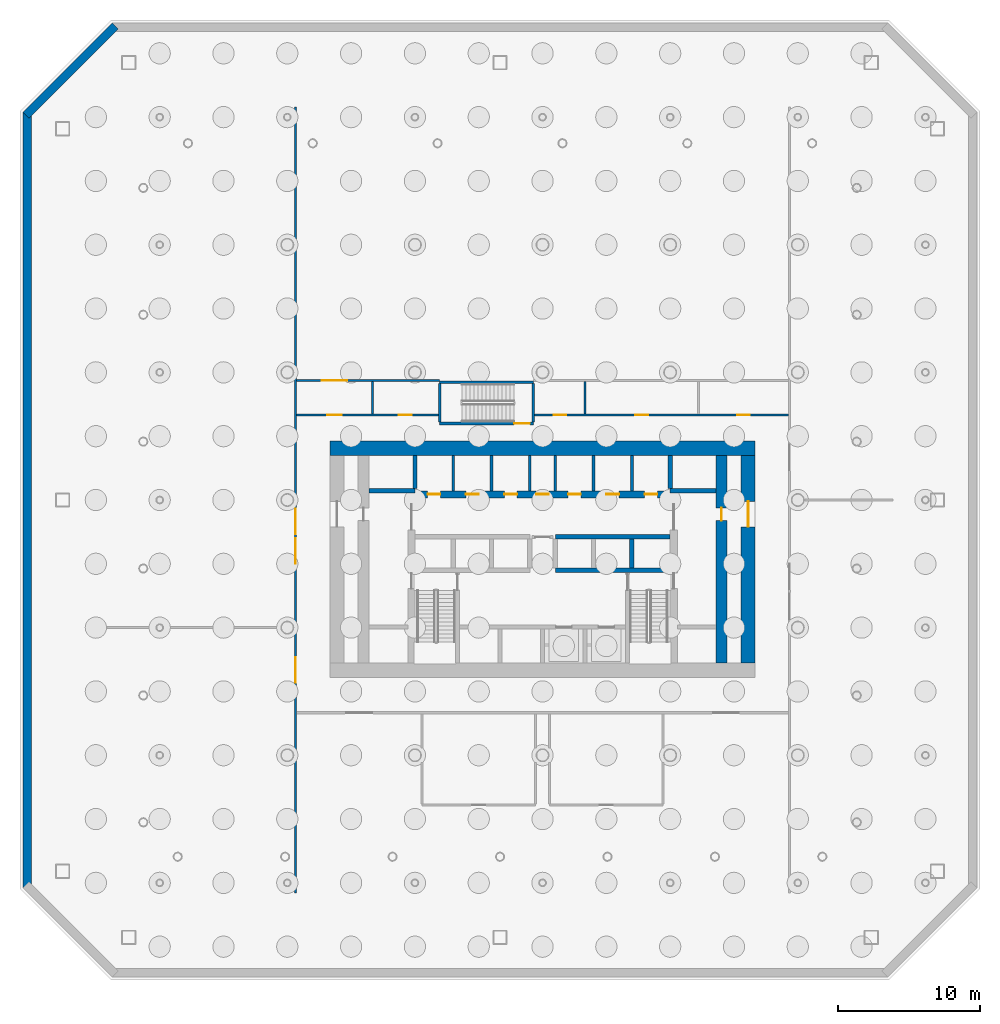
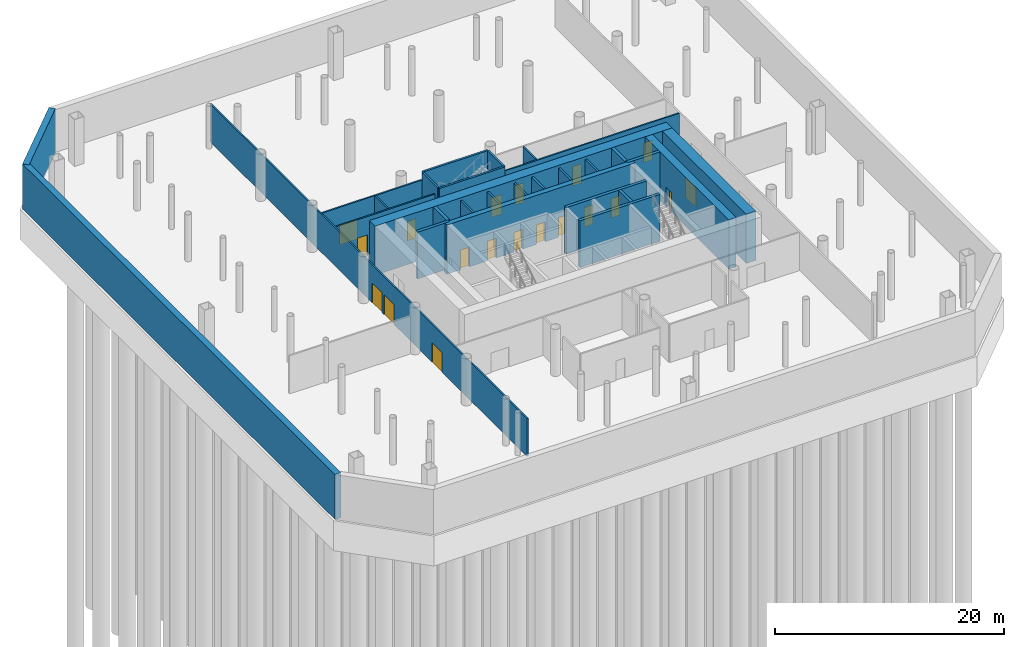
# One storey, part 6 of 10: 29 walls, 19 doors, 19 openings.
"""IFC4 building model written with IfcOpenShell, lengths in metres."""

from ifc_helpers import new_model, si_unit, direction, frame, frame_2d, origin, place, context, subcontext, project, spatial, rectangle, extrude, material, layer, layer_set, type_object, element, fill, save


model = new_model("IFC4")

# Units and contexts
model_context = context("Model", 3, precision=1e-05, world=origin(), true_north=direction((0.0, 1.0)))
body_context = subcontext(model_context, "Body", "Model", "MODEL_VIEW")
ifc_project = project(units=[si_unit("LENGTHUNIT", "METRE"), si_unit("AREAUNIT", "SQUARE_METRE"), si_unit("VOLUMEUNIT", "CUBIC_METRE"), si_unit("PLANEANGLEUNIT", "RADIAN"), si_unit("MASSUNIT", "GRAM", prefix="KILO")], contexts=[model_context])

# Site, building, storey
site_placement = place(None, origin())
site = spatial("IfcSite", under=ifc_project, at=site_placement, CompositionType="ELEMENT")
building_placement = place(site_placement, origin())
building = spatial("IfcBuilding", under=site, at=building_placement, Name="Tskaro Facet Tower", CompositionType="ELEMENT")
storey_placement = place(building_placement, frame((0.0, 0.0, -5.0)))
storey = spatial("IfcBuildingStorey", under=building, at=storey_placement, Name="B1", CompositionType="ELEMENT", Elevation=-5.0)

# Walls
ifc_material_1 = material(Name="Concrete C40/50", Category="concrete")
ifc_layer_1 = layer(ifc_material_1, 0.60009765625, Name="Concrete C40/50")
ifc_layer_set_1 = layer_set([ifc_layer_1], Name="Concrete C40/50")
wall_type_1 = type_object("IfcWallType", Name="Basement retaining wall", PredefinedType="SOLIDWALL", material=ifc_layer_set_1)
wall_1_placement = place(storey_placement, frame((-30.12890625, 33.43798828125, -0.25), z_axis=(0.0, 0.0, 1.0), x_axis=(-0.707106781187, -0.707106781187, 0.0)))
element("IfcWall", 1, at=wall_1_placement, inside=storey, type_object=wall_type_1, Name="Basement retaining wall BW6", PredefinedType="SOLIDWALL", context=body_context, shape_type="SweptSolid", body=[
    extrude(rectangle(XDim=8.92236328125, YDim=0.60009765625, at=frame_2d((4.461181640625, 0.0))), origin(), (0.0, 0.0, 1.0), 4.800048828125),
])
wall_2_placement = place(storey_placement, frame((-36.35009765625, 27.341064453125, -0.25), z_axis=(0.0, 0.0, 1.0), x_axis=(0.0, -1.0, 0.0)))
element("IfcWall", 2, at=wall_2_placement, inside=storey, type_object=wall_type_1, Name="Basement retaining wall BW7", PredefinedType="SOLIDWALL", context=body_context, shape_type="SweptSolid", body=[
    extrude(rectangle(XDim=54.68212890625, YDim=0.60009765625, at=frame_2d((27.341064453125, 0.0))), origin(), (0.0, 0.0, 1.0), 4.800048828125),
])
ifc_material_2 = material(Name="Concrete C60/75", Category="concrete")
ifc_layer_2 = layer(ifc_material_2, 0.300048828125, Name="Concrete C60/75")
ifc_layer_set_2 = layer_set([ifc_layer_2], Name="Concrete C60/75")
wall_type_2 = type_object("IfcWallType", Name="CORE-SHAFT", PredefinedType="SHEAR", material=ifc_layer_set_2)
for number, where, z_axis, x_axis, name in (
    (3, (0.89990234375, -4.949951171875, 0.0), (0.0, 0.0, 1.0), (1.0, 0.0, 0.0), "Shaft wall W009"),
    (4, (0.89990234375, -2.60009765625, 0.0), (0.0, 0.0, 1.0), (1.0, 0.0, 0.0), "Shaft wall W012"),
):
    element("IfcWall", number, at=place(storey_placement, frame(where, z_axis=z_axis, x_axis=x_axis)), inside=storey, type_object=wall_type_2, Name=name, PredefinedType="SHEAR", context=body_context, shape_type="SweptSolid", body=[
        extrude(rectangle(XDim=8.10009765625, YDim=0.300048828125, at=frame_2d((4.050048828125, 0.0))), origin(), (0.0, 0.0, 1.0), 5.0),
    ])
for number, where, z_axis, x_axis, name in (
    (5, (-9.0, 0.64990234375, 0.0), (0.0, 0.0, 1.0), (-1.0, 0.0, 0.0), "Shaft wall W014"),
    (6, (12.25, 0.64990234375, 0.0), (0.0, 0.0, 1.0), (-1.0, 0.0, 0.0), "Shaft wall W015"),
):
    element("IfcWall", number, at=place(storey_placement, frame(where, z_axis=z_axis, x_axis=x_axis)), inside=storey, type_object=wall_type_2, Name=name, PredefinedType="SHEAR", context=body_context, shape_type="SweptSolid", body=[
        extrude(rectangle(XDim=3.25, YDim=0.300048828125, at=frame_2d((1.625, 0.0))), origin(), (0.0, 0.0, 1.0), 5.0),
    ])
wall_3_placement = place(storey_placement, frame((-9.0, 0.800048828125, 0.0), z_axis=(0.0, 0.0, 1.0), x_axis=(0.0, 1.0, 0.0)))
element("IfcWall", 7, at=wall_3_placement, inside=storey, type_object=wall_type_2, Name="Shaft wall W024", PredefinedType="SHEAR", context=body_context, shape_type="SweptSolid", body=[
    extrude(rectangle(XDim=2.349853515625, YDim=0.300048828125, at=frame_2d((1.1748046875, 0.0))), origin(), (0.0, 0.0, 1.0), 5.0),
])
wall_4_placement = place(storey_placement, frame((6.300048828125, -4.800048828125, 0.0), z_axis=(0.0, 0.0, 1.0), x_axis=(0.0, 1.0, 0.0)))
element("IfcWall", 8, at=wall_4_placement, inside=storey, type_object=wall_type_2, Name="Shaft wall W049", PredefinedType="SHEAR", context=body_context, shape_type="SweptSolid", body=[
    extrude(rectangle(XDim=2.050048828125, YDim=0.300048828125, at=frame_2d((1.02490234375, 0.0))), origin(), (0.0, 0.0, 1.0), 5.0),
])
wall_5_placement = place(storey_placement, frame((9.0, 0.800048828125, 0.0), z_axis=(0.0, 0.0, 1.0), x_axis=(0.0, 1.0, 0.0)))
element("IfcWall", 9, at=wall_5_placement, inside=storey, type_object=wall_type_2, Name="Shaft wall W053", PredefinedType="SHEAR", context=body_context, shape_type="SweptSolid", body=[
    extrude(rectangle(XDim=2.349853515625, YDim=0.300048828125, at=frame_2d((1.1748046875, 0.0))), origin(), (0.0, 0.0, 1.0), 5.0),
])
ifc_material_3 = material(Name="Concrete C20/25", Category="concrete")
ifc_layer_3 = layer(ifc_material_3, 0.199951171875, Name="Concrete C20/25")
ifc_layer_set_3 = layer_set([ifc_layer_3], Name="Concrete C20/25")
wall_type_3 = type_object("IfcWallType", Name="CORE-WALL", PredefinedType="SOLIDWALL", material=ifc_layer_set_3)
for number, where, z_axis, x_axis, name in (
    (10, (-6.300048828125, 0.64990234375, 0.0), (0.0, 0.0, 1.0), (0.0, 1.0, 0.0), "Core room wall W029"),
    (11, (-3.60009765625, 0.64990234375, 0.0), (0.0, 0.0, 1.0), (0.0, 1.0, 0.0), "Core room wall W032"),
    (12, (-0.89990234375, 0.64990234375, 0.0), (0.0, 0.0, 1.0), (0.0, 1.0, 0.0), "Core room wall W035"),
    (13, (0.89990234375, 0.64990234375, 0.0), (0.0, 0.0, 1.0), (0.0, 1.0, 0.0), "Core room wall W043"),
    (14, (3.60009765625, 0.64990234375, 0.0), (0.0, 0.0, 1.0), (0.0, 1.0, 0.0), "Core room wall W047"),
    (15, (6.300048828125, 0.64990234375, 0.0), (0.0, 0.0, 1.0), (0.0, 1.0, 0.0), "Core room wall W050"),
):
    element("IfcWall", number, at=place(storey_placement, frame(where, z_axis=z_axis, x_axis=x_axis)), inside=storey, type_object=wall_type_3, Name=name, PredefinedType="SOLIDWALL", context=body_context, shape_type="SweptSolid", body=[
        extrude(rectangle(XDim=2.5, YDim=0.199951171875, at=frame_2d((1.25, 0.0))), origin(), (0.0, 0.0, 1.0), 4.699951171875),
    ])
ifc_layer_4 = layer(ifc_material_2, 1.0, Name="Concrete C60/75")
ifc_layer_set_4 = layer_set([ifc_layer_4], Name="Concrete C60/75")
wall_type_4 = type_object("IfcWallType", Name="Core wall 1000", PredefinedType="SHEAR", material=ifc_layer_set_4)
wall_6_placement = place(storey_placement, frame((-15.0, 3.64990234375, -0.25), z_axis=(0.0, 0.0, 1.0), x_axis=(1.0, 0.0, 0.0)))
element("IfcWall", 16, at=wall_6_placement, inside=storey, type_object=wall_type_4, Name="Core wall CW-Z1N", PredefinedType="SHEAR", context=body_context, shape_type="SweptSolid", body=[
    extrude(rectangle(XDim=30.0, YDim=1.0, at=frame_2d((15.0, 0.0))), origin(), (0.0, 0.0, 1.0), 5.25),
])

# Wall, opening, door
wall_7_placement = place(storey_placement, frame((14.5, -11.5, -0.25), z_axis=(0.0, 0.0, 1.0), x_axis=(0.0, 1.0, 0.0)))
wall_7 = element("IfcWall", 17, at=wall_7_placement, inside=storey, type_object=wall_type_4, Name="Core wall CW-Z1E", PredefinedType="SHEAR", context=body_context, shape_type="SweptSolid", body=[
    extrude(rectangle(XDim=14.64990234375, YDim=1.0, at=frame_2d((7.324951171875, 0.0))), origin(), (0.0, 0.0, 1.0), 5.25),
])
opening_1_placement = place(wall_7_placement, frame((9.60009765625, 0.0, 0.0)))
opening_1 = element("IfcOpeningElement", 18, at=opening_1_placement, cuts=wall_7, Name="Opening B1-D17", PredefinedType="OPENING", context=body_context, shape_type="SweptSolid", body=[
    extrude(rectangle(XDim=1.800048828125, YDim=2.10009765625, at=frame_2d((0.89990234375, 1.050048828125))), frame((0.0, 0.510009765625, 0.0), z_axis=(0.0, -1.0, 0.0), x_axis=(1.0, 0.0, 0.0)), (0.0, 0.0, 1.0), 1.02001953125),
])
ifc_material_4 = material(Name="Steel", Category="steel")
door_type_1 = type_object("IfcDoorType", Name="D-CORE-PAIR", OperationType="NOTDEFINED", PredefinedType="DOOR", material=ifc_material_4)
door_1_placement = place(opening_1_placement, origin())
door_1 = element("IfcDoor", 19, at=door_1_placement, inside=storey, type_object=door_type_1, Name="Door B1-D17", OperationType="DOUBLE_DOOR_SINGLE_SWING", OverallHeight=2.10009765625, OverallWidth=1.800048828125, PredefinedType="DOOR", context=body_context, shape_type="SweptSolid", body=[
    extrude(rectangle(XDim=1.800048828125, YDim=2.10009765625, at=frame_2d((0.89990234375, 1.050048828125))), frame((0.0, 0.02490234375, 0.0), z_axis=(0.0, -1.0, 0.0), x_axis=(1.0, 0.0, 0.0)), (0.0, 0.0, 1.0), 0.050048828125),
])
fill(opening_1, door_1)

# Wall, openings, doors
ifc_layer_5 = layer(ifc_material_1, 0.5, Name="Concrete C40/50")
ifc_layer_set_5 = layer_set([ifc_layer_5], Name="Concrete C40/50")
wall_type_5 = type_object("IfcWallType", Name="Core wall 500", PredefinedType="SHEAR", material=ifc_layer_set_5)
wall_8_placement = place(storey_placement, frame((-9.5, 0.39990234375, -0.25), z_axis=(0.0, 0.0, 1.0), x_axis=(1.0, 0.0, 0.0)))
wall_8 = element("IfcWall", 20, at=wall_8_placement, inside=storey, type_object=wall_type_5, Name="Core wall CW-Z3N", PredefinedType="SHEAR", context=body_context, shape_type="SweptSolid", body=[
    extrude(rectangle(XDim=19.0, YDim=0.5, at=frame_2d((9.5, 0.0))), origin(), (0.0, 0.0, 1.0), 5.25),
])
opening_2_placement = place(wall_8_placement, frame((1.39990234375, 0.0, 0.0)))
opening_2 = element("IfcOpeningElement", 21, at=opening_2_placement, cuts=wall_8, Name="Opening B1-D18", PredefinedType="OPENING", context=body_context, shape_type="SweptSolid", body=[
    extrude(rectangle(XDim=0.89990234375, YDim=2.10009765625, at=frame_2d((0.449951171875, 1.050048828125))), frame((0.0, 0.260009765625, 0.0), z_axis=(0.0, -1.0, 0.0), x_axis=(1.0, 0.0, 0.0)), (0.0, 0.0, 1.0), 0.52001953125),
])
opening_3_placement = place(wall_8_placement, frame((4.10009765625, 0.0, 0.0)))
opening_3 = element("IfcOpeningElement", 22, at=opening_3_placement, cuts=wall_8, Name="Opening B1-D19", PredefinedType="OPENING", context=body_context, shape_type="SweptSolid", body=[
    extrude(rectangle(XDim=0.89990234375, YDim=2.10009765625, at=frame_2d((0.449951171875, 1.050048828125))), frame((0.0, 0.260009765625, 0.0), z_axis=(0.0, -1.0, 0.0), x_axis=(1.0, 0.0, 0.0)), (0.0, 0.0, 1.0), 0.52001953125),
])
opening_4_placement = place(wall_8_placement, frame((6.800048828125, 0.0, 0.0)))
opening_4 = element("IfcOpeningElement", 23, at=opening_4_placement, cuts=wall_8, Name="Opening B1-D20", PredefinedType="OPENING", context=body_context, shape_type="SweptSolid", body=[
    extrude(rectangle(XDim=0.89990234375, YDim=2.10009765625, at=frame_2d((0.449951171875, 1.050048828125))), frame((0.0, 0.260009765625, 0.0), z_axis=(0.0, -1.0, 0.0), x_axis=(1.0, 0.0, 0.0)), (0.0, 0.0, 1.0), 0.52001953125),
])
opening_5_placement = place(wall_8_placement, frame((11.300048828125, 0.0, 0.0)))
opening_5 = element("IfcOpeningElement", 24, at=opening_5_placement, cuts=wall_8, Name="Opening B1-D22", PredefinedType="OPENING", context=body_context, shape_type="SweptSolid", body=[
    extrude(rectangle(XDim=0.89990234375, YDim=2.10009765625, at=frame_2d((0.449951171875, 1.050048828125))), frame((0.0, 0.260009765625, 0.0), z_axis=(0.0, -1.0, 0.0), x_axis=(1.0, 0.0, 0.0)), (0.0, 0.0, 1.0), 0.52001953125),
])
opening_6_placement = place(wall_8_placement, frame((14.0, 0.0, 0.0)))
opening_6 = element("IfcOpeningElement", 25, at=opening_6_placement, cuts=wall_8, Name="Opening B1-D23", PredefinedType="OPENING", context=body_context, shape_type="SweptSolid", body=[
    extrude(rectangle(XDim=0.89990234375, YDim=2.10009765625, at=frame_2d((0.449951171875, 1.050048828125))), frame((0.0, 0.260009765625, 0.0), z_axis=(0.0, -1.0, 0.0), x_axis=(1.0, 0.0, 0.0)), (0.0, 0.0, 1.0), 0.52001953125),
])
opening_7_placement = place(wall_8_placement, frame((16.699951171875, 0.0, 0.0)))
opening_7 = element("IfcOpeningElement", 26, at=opening_7_placement, cuts=wall_8, Name="Opening B1-D24", PredefinedType="OPENING", context=body_context, shape_type="SweptSolid", body=[
    extrude(rectangle(XDim=0.89990234375, YDim=2.10009765625, at=frame_2d((0.449951171875, 1.050048828125))), frame((0.0, 0.260009765625, 0.0), z_axis=(0.0, -1.0, 0.0), x_axis=(1.0, 0.0, 0.0)), (0.0, 0.0, 1.0), 0.52001953125),
])
opening_8_placement = place(wall_8_placement, frame((9.050048828125, 0.0, 0.0)))
opening_8 = element("IfcOpeningElement", 27, at=opening_8_placement, cuts=wall_8, Name="Opening B1-D21", PredefinedType="OPENING", context=body_context, shape_type="SweptSolid", body=[
    extrude(rectangle(XDim=0.89990234375, YDim=2.10009765625, at=frame_2d((0.449951171875, 1.050048828125))), frame((0.0, 0.260009765625, 0.0), z_axis=(0.0, -1.0, 0.0), x_axis=(1.0, 0.0, 0.0)), (0.0, 0.0, 1.0), 0.52001953125),
])
door_type_2 = type_object("IfcDoorType", Name="D-RISER", OperationType="NOTDEFINED", PredefinedType="DOOR", material=ifc_material_4)
door_2_placement = place(opening_8_placement, origin())
door_2 = element("IfcDoor", 28, at=door_2_placement, inside=storey, type_object=door_type_2, Name="Door B1-D21", OperationType="SINGLE_SWING_LEFT", OverallHeight=2.10009765625, OverallWidth=0.89990234375, PredefinedType="DOOR", context=body_context, shape_type="SweptSolid", body=[
    extrude(rectangle(XDim=0.89990234375, YDim=2.10009765625, at=frame_2d((0.449951171875, 1.050048828125))), frame((0.0, 0.02490234375, 0.0), z_axis=(0.0, -1.0, 0.0), x_axis=(1.0, 0.0, 0.0)), (0.0, 0.0, 1.0), 0.050048828125),
])
fill(opening_8, door_2)
ifc_material_5 = material(Name="Timber", Category="wood")
door_type_3 = type_object("IfcDoorType", Name="D-ROOM", OperationType="NOTDEFINED", PredefinedType="DOOR", material=ifc_material_5)
door_3_placement = place(opening_2_placement, origin())
door_3 = element("IfcDoor", 29, at=door_3_placement, inside=storey, type_object=door_type_3, Name="Door B1-D18", OperationType="SINGLE_SWING_LEFT", OverallHeight=2.10009765625, OverallWidth=0.89990234375, PredefinedType="DOOR", context=body_context, shape_type="SweptSolid", body=[
    extrude(rectangle(XDim=0.89990234375, YDim=2.10009765625, at=frame_2d((0.449951171875, 1.050048828125))), frame((0.0, 0.02490234375, 0.0), z_axis=(0.0, -1.0, 0.0), x_axis=(1.0, 0.0, 0.0)), (0.0, 0.0, 1.0), 0.050048828125),
])
fill(opening_2, door_3)
door_4_placement = place(opening_3_placement, origin())
door_4 = element("IfcDoor", 30, at=door_4_placement, inside=storey, type_object=door_type_3, Name="Door B1-D19", OperationType="SINGLE_SWING_LEFT", OverallHeight=2.10009765625, OverallWidth=0.89990234375, PredefinedType="DOOR", context=body_context, shape_type="SweptSolid", body=[
    extrude(rectangle(XDim=0.89990234375, YDim=2.10009765625, at=frame_2d((0.449951171875, 1.050048828125))), frame((0.0, 0.02490234375, 0.0), z_axis=(0.0, -1.0, 0.0), x_axis=(1.0, 0.0, 0.0)), (0.0, 0.0, 1.0), 0.050048828125),
])
fill(opening_3, door_4)
door_5_placement = place(opening_4_placement, origin())
door_5 = element("IfcDoor", 31, at=door_5_placement, inside=storey, type_object=door_type_3, Name="Door B1-D20", OperationType="SINGLE_SWING_LEFT", OverallHeight=2.10009765625, OverallWidth=0.89990234375, PredefinedType="DOOR", context=body_context, shape_type="SweptSolid", body=[
    extrude(rectangle(XDim=0.89990234375, YDim=2.10009765625, at=frame_2d((0.449951171875, 1.050048828125))), frame((0.0, 0.02490234375, 0.0), z_axis=(0.0, -1.0, 0.0), x_axis=(1.0, 0.0, 0.0)), (0.0, 0.0, 1.0), 0.050048828125),
])
fill(opening_4, door_5)
door_6_placement = place(opening_5_placement, origin())
door_6 = element("IfcDoor", 32, at=door_6_placement, inside=storey, type_object=door_type_3, Name="Door B1-D22", OperationType="SINGLE_SWING_LEFT", OverallHeight=2.10009765625, OverallWidth=0.89990234375, PredefinedType="DOOR", context=body_context, shape_type="SweptSolid", body=[
    extrude(rectangle(XDim=0.89990234375, YDim=2.10009765625, at=frame_2d((0.449951171875, 1.050048828125))), frame((0.0, 0.02490234375, 0.0), z_axis=(0.0, -1.0, 0.0), x_axis=(1.0, 0.0, 0.0)), (0.0, 0.0, 1.0), 0.050048828125),
])
fill(opening_5, door_6)
door_7_placement = place(opening_6_placement, origin())
door_7 = element("IfcDoor", 33, at=door_7_placement, inside=storey, type_object=door_type_3, Name="Door B1-D23", OperationType="SINGLE_SWING_LEFT", OverallHeight=2.10009765625, OverallWidth=0.89990234375, PredefinedType="DOOR", context=body_context, shape_type="SweptSolid", body=[
    extrude(rectangle(XDim=0.89990234375, YDim=2.10009765625, at=frame_2d((0.449951171875, 1.050048828125))), frame((0.0, 0.02490234375, 0.0), z_axis=(0.0, -1.0, 0.0), x_axis=(1.0, 0.0, 0.0)), (0.0, 0.0, 1.0), 0.050048828125),
])
fill(opening_6, door_7)
door_8_placement = place(opening_7_placement, origin())
door_8 = element("IfcDoor", 34, at=door_8_placement, inside=storey, type_object=door_type_3, Name="Door B1-D24", OperationType="SINGLE_SWING_LEFT", OverallHeight=2.10009765625, OverallWidth=0.89990234375, PredefinedType="DOOR", context=body_context, shape_type="SweptSolid", body=[
    extrude(rectangle(XDim=0.89990234375, YDim=2.10009765625, at=frame_2d((0.449951171875, 1.050048828125))), frame((0.0, 0.02490234375, 0.0), z_axis=(0.0, -1.0, 0.0), x_axis=(1.0, 0.0, 0.0)), (0.0, 0.0, 1.0), 0.050048828125),
])
fill(opening_7, door_8)

# Wall, opening, door
ifc_material_6 = material(Name="Concrete C50/60", Category="concrete")
ifc_layer_6 = layer(ifc_material_6, 0.75, Name="Concrete C50/60")
ifc_layer_set_6 = layer_set([ifc_layer_6], Name="Concrete C50/60")
wall_type_6 = type_object("IfcWallType", Name="Core wall 750", PredefinedType="SHEAR", material=ifc_layer_set_6)
wall_9_placement = place(storey_placement, frame((12.625, -11.5, -0.25), z_axis=(0.0, 0.0, 1.0), x_axis=(0.0, 1.0, 0.0)))
wall_9 = element("IfcWall", 35, at=wall_9_placement, inside=storey, type_object=wall_type_6, Name="Core wall CW-Z2E", PredefinedType="SHEAR", context=body_context, shape_type="SweptSolid", body=[
    extrude(rectangle(XDim=14.64990234375, YDim=0.75, at=frame_2d((7.324951171875, 0.0))), origin(), (0.0, 0.0, 1.0), 5.25),
])
opening_9_placement = place(wall_9_placement, frame((10.050048828125, 0.0, 0.0)))
opening_9 = element("IfcOpeningElement", 36, at=opening_9_placement, cuts=wall_9, Name="Opening B1-D16", PredefinedType="OPENING", context=body_context, shape_type="SweptSolid", body=[
    extrude(rectangle(XDim=0.89990234375, YDim=2.10009765625, at=frame_2d((0.449951171875, 1.050048828125))), frame((0.0, 0.385009765625, 0.0), z_axis=(0.0, -1.0, 0.0), x_axis=(1.0, 0.0, 0.0)), (0.0, 0.0, 1.0), 0.77001953125),
])
door_9_placement = place(opening_9_placement, origin())
door_9 = element("IfcDoor", 37, at=door_9_placement, inside=storey, type_object=door_type_3, Name="Door B1-D16", OperationType="SINGLE_SWING_LEFT", OverallHeight=2.10009765625, OverallWidth=0.89990234375, PredefinedType="DOOR", context=body_context, shape_type="SweptSolid", body=[
    extrude(rectangle(XDim=0.89990234375, YDim=2.10009765625, at=frame_2d((0.449951171875, 1.050048828125))), frame((0.0, 0.02490234375, 0.0), z_axis=(0.0, -1.0, 0.0), x_axis=(1.0, 0.0, 0.0)), (0.0, 0.0, 1.0), 0.050048828125),
])
fill(opening_9, door_9)

# Wall
ifc_material_7 = material(Name="Gypsum board on steel studs", Category="steel")
ifc_layer_7 = layer(ifc_material_7, 0.125, Name="Gypsum board on steel studs")
ifc_layer_set_7 = layer_set([ifc_layer_7], Name="Gypsum board on steel studs")
wall_type_7 = type_object("IfcWallType", Name="PART", PredefinedType="PARTITIONING", material=ifc_layer_set_7)
wall_10_placement = place(storey_placement, frame((3.0, 6.074951171875, 0.0), z_axis=(0.0, 0.0, 1.0), x_axis=(0.0, 1.0, 0.0)))
element("IfcWall", 38, at=wall_10_placement, inside=storey, type_object=wall_type_7, Name="Partition W045", PredefinedType="PARTITIONING", context=body_context, shape_type="SweptSolid", body=[
    extrude(rectangle(XDim=2.275146484375, YDim=0.125, at=frame_2d((1.1376953125, 0.0))), origin(), (0.0, 0.0, 1.0), 4.06005859375),
])

# Wall, openings, doors
ifc_layer_8 = layer(ifc_material_7, 0.14990234375, Name="Gypsum board on steel studs")
ifc_layer_set_8 = layer_set([ifc_layer_8], Name="Gypsum board on steel studs")
wall_type_8 = type_object("IfcWallType", Name="PART-CORR", PredefinedType="PARTITIONING", material=ifc_layer_set_8)
wall_11_placement = place(storey_placement, frame((-7.35009765625, 6.0, 0.0), z_axis=(0.0, 0.0, 1.0), x_axis=(-1.0, 0.0, 0.0)))
wall_11 = element("IfcWall", 39, at=wall_11_placement, inside=storey, type_object=wall_type_8, Name="Corridor wall W017", PredefinedType="PARTITIONING", context=body_context, shape_type="SweptSolid", body=[
    extrude(rectangle(XDim=10.0, YDim=0.14990234375, at=frame_2d((5.0, 0.0))), origin(), (0.0, 0.0, 1.0), 4.06005859375),
])
opening_10_placement = place(wall_11_placement, frame((6.824951171875, 0.0, 0.0)))
opening_10 = element("IfcOpeningElement", 40, at=opening_10_placement, cuts=wall_11, Name="Opening B1-D28", PredefinedType="OPENING", context=body_context, shape_type="SweptSolid", body=[
    extrude(rectangle(XDim=1.0, YDim=2.10009765625, at=frame_2d((0.5, 1.050048828125))), frame((0.0, 0.0849609375, 0.0), z_axis=(0.0, -1.0, 0.0), x_axis=(1.0, 0.0, 0.0)), (0.0, 0.0, 1.0), 0.169921875),
])
opening_11_placement = place(wall_11_placement, frame((1.875, 0.0, 0.0)))
opening_11 = element("IfcOpeningElement", 41, at=opening_11_placement, cuts=wall_11, Name="Opening B1-D29", PredefinedType="OPENING", context=body_context, shape_type="SweptSolid", body=[
    extrude(rectangle(XDim=0.89990234375, YDim=2.10009765625, at=frame_2d((0.449951171875, 1.050048828125))), frame((0.0, 0.0849609375, 0.0), z_axis=(0.0, -1.0, 0.0), x_axis=(1.0, 0.0, 0.0)), (0.0, 0.0, 1.0), 0.169921875),
])
door_type_4 = type_object("IfcDoorType", Name="D-ENTRY", OperationType="NOTDEFINED", PredefinedType="DOOR", material=ifc_material_5)
door_10_placement = place(opening_10_placement, origin())
door_10 = element("IfcDoor", 42, at=door_10_placement, inside=storey, type_object=door_type_4, Name="Door B1-D28", OperationType="SINGLE_SWING_RIGHT", OverallHeight=2.10009765625, OverallWidth=1.0, PredefinedType="DOOR", context=body_context, shape_type="SweptSolid", body=[
    extrude(rectangle(XDim=1.0, YDim=2.10009765625, at=frame_2d((0.5, 1.050048828125))), frame((0.0, 0.02490234375, 0.0), z_axis=(0.0, -1.0, 0.0), x_axis=(1.0, 0.0, 0.0)), (0.0, 0.0, 1.0), 0.050048828125),
])
fill(opening_10, door_10)
door_11_placement = place(opening_11_placement, origin())
door_11 = element("IfcDoor", 43, at=door_11_placement, inside=storey, type_object=door_type_3, Name="Door B1-D29", OperationType="SINGLE_SWING_RIGHT", OverallHeight=2.10009765625, OverallWidth=0.89990234375, PredefinedType="DOOR", context=body_context, shape_type="SweptSolid", body=[
    extrude(rectangle(XDim=0.89990234375, YDim=2.10009765625, at=frame_2d((0.449951171875, 1.050048828125))), frame((0.0, 0.02490234375, 0.0), z_axis=(0.0, -1.0, 0.0), x_axis=(1.0, 0.0, 0.0)), (0.0, 0.0, 1.0), 0.050048828125),
])
fill(opening_11, door_11)

wall_12_placement = place(storey_placement, frame((-0.550048828125, 6.0, 0.0), z_axis=(0.0, 0.0, 1.0), x_axis=(1.0, 0.0, 0.0)))
wall_12 = element("IfcWall", 44, at=wall_12_placement, inside=storey, type_object=wall_type_8, Name="Corridor wall W018", PredefinedType="PARTITIONING", context=body_context, shape_type="SweptSolid", body=[
    extrude(rectangle(XDim=17.900146484375, YDim=0.14990234375, at=frame_2d((8.9501953125, 0.0))), origin(), (0.0, 0.0, 1.0), 4.06005859375),
])
opening_12_placement = place(wall_12_placement, frame((1.324951171875, 0.0, 0.0)))
opening_12 = element("IfcOpeningElement", 45, at=opening_12_placement, cuts=wall_12, Name="Opening B1-D30", PredefinedType="OPENING", context=body_context, shape_type="SweptSolid", body=[
    extrude(rectangle(XDim=0.89990234375, YDim=2.10009765625, at=frame_2d((0.449951171875, 1.050048828125))), frame((0.0, 0.0849609375, 0.0), z_axis=(0.0, -1.0, 0.0), x_axis=(1.0, 0.0, 0.0)), (0.0, 0.0, 1.0), 0.169921875),
])
opening_13_placement = place(wall_12_placement, frame((7.10009765625, 0.0, 0.0)))
opening_13 = element("IfcOpeningElement", 46, at=opening_13_placement, cuts=wall_12, Name="Opening B1-D31", PredefinedType="OPENING", context=body_context, shape_type="SweptSolid", body=[
    extrude(rectangle(XDim=0.89990234375, YDim=2.10009765625, at=frame_2d((0.449951171875, 1.050048828125))), frame((0.0, 0.0849609375, 0.0), z_axis=(0.0, -1.0, 0.0), x_axis=(1.0, 0.0, 0.0)), (0.0, 0.0, 1.0), 0.169921875),
])
opening_14_placement = place(wall_12_placement, frame((14.27490234375, 0.0, 0.0)))
opening_14 = element("IfcOpeningElement", 47, at=opening_14_placement, cuts=wall_12, Name="Opening B1-D32", PredefinedType="OPENING", context=body_context, shape_type="SweptSolid", body=[
    extrude(rectangle(XDim=0.89990234375, YDim=2.10009765625, at=frame_2d((0.449951171875, 1.050048828125))), frame((0.0, 0.0849609375, 0.0), z_axis=(0.0, -1.0, 0.0), x_axis=(1.0, 0.0, 0.0)), (0.0, 0.0, 1.0), 0.169921875),
])
door_12_placement = place(opening_12_placement, origin())
door_12 = element("IfcDoor", 48, at=door_12_placement, inside=storey, type_object=door_type_3, Name="Door B1-D30", OperationType="SINGLE_SWING_LEFT", OverallHeight=2.10009765625, OverallWidth=0.89990234375, PredefinedType="DOOR", context=body_context, shape_type="SweptSolid", body=[
    extrude(rectangle(XDim=0.89990234375, YDim=2.10009765625, at=frame_2d((0.449951171875, 1.050048828125))), frame((0.0, 0.02490234375, 0.0), z_axis=(0.0, -1.0, 0.0), x_axis=(1.0, 0.0, 0.0)), (0.0, 0.0, 1.0), 0.050048828125),
])
fill(opening_12, door_12)
door_13_placement = place(opening_13_placement, origin())
door_13 = element("IfcDoor", 49, at=door_13_placement, inside=storey, type_object=door_type_3, Name="Door B1-D31", OperationType="SINGLE_SWING_LEFT", OverallHeight=2.10009765625, OverallWidth=0.89990234375, PredefinedType="DOOR", context=body_context, shape_type="SweptSolid", body=[
    extrude(rectangle(XDim=0.89990234375, YDim=2.10009765625, at=frame_2d((0.449951171875, 1.050048828125))), frame((0.0, 0.02490234375, 0.0), z_axis=(0.0, -1.0, 0.0), x_axis=(1.0, 0.0, 0.0)), (0.0, 0.0, 1.0), 0.050048828125),
])
fill(opening_13, door_13)
door_14_placement = place(opening_14_placement, origin())
door_14 = element("IfcDoor", 50, at=door_14_placement, inside=storey, type_object=door_type_3, Name="Door B1-D32", OperationType="SINGLE_SWING_LEFT", OverallHeight=2.10009765625, OverallWidth=0.89990234375, PredefinedType="DOOR", context=body_context, shape_type="SweptSolid", body=[
    extrude(rectangle(XDim=0.89990234375, YDim=2.10009765625, at=frame_2d((0.449951171875, 1.050048828125))), frame((0.0, 0.02490234375, 0.0), z_axis=(0.0, -1.0, 0.0), x_axis=(1.0, 0.0, 0.0)), (0.0, 0.0, 1.0), 0.050048828125),
])
fill(opening_14, door_14)

# Wall, opening, door
wall_13_placement = place(storey_placement, frame((-17.35009765625, 8.425048828125, 0.0), z_axis=(0.0, 0.0, 1.0), x_axis=(1.0, 0.0, 0.0)))
wall_13 = element("IfcWall", 51, at=wall_13_placement, inside=storey, type_object=wall_type_8, Name="Corridor wall W020", PredefinedType="PARTITIONING", context=body_context, shape_type="SweptSolid", body=[
    extrude(rectangle(XDim=10.10009765625, YDim=0.14990234375, at=frame_2d((5.050048828125, 0.0))), origin(), (0.0, 0.0, 1.0), 4.06005859375),
])
opening_15_placement = place(wall_13_placement, frame((1.77490234375, 0.0, 0.0)))
opening_15 = element("IfcOpeningElement", 52, at=opening_15_placement, cuts=wall_13, Name="Opening B1-D33", PredefinedType="OPENING", context=body_context, shape_type="SweptSolid", body=[
    extrude(rectangle(XDim=1.800048828125, YDim=2.10009765625, at=frame_2d((0.89990234375, 1.050048828125))), frame((0.0, 0.0849609375, 0.0), z_axis=(0.0, -1.0, 0.0), x_axis=(1.0, 0.0, 0.0)), (0.0, 0.0, 1.0), 0.169921875),
])
ifc_material_8 = material(Name="Glass", Category="glass")
door_type_5 = type_object("IfcDoorType", Name="D-ENTRY-PAIR", OperationType="NOTDEFINED", PredefinedType="DOOR", material=ifc_material_8)
door_15_placement = place(opening_15_placement, origin())
door_15 = element("IfcDoor", 53, at=door_15_placement, inside=storey, type_object=door_type_5, Name="Door B1-D33", OperationType="DOUBLE_DOOR_SINGLE_SWING", OverallHeight=2.10009765625, OverallWidth=1.800048828125, PredefinedType="DOOR", context=body_context, shape_type="SweptSolid", body=[
    extrude(rectangle(XDim=1.800048828125, YDim=2.10009765625, at=frame_2d((0.89990234375, 1.050048828125))), frame((0.0, 0.02490234375, 0.0), z_axis=(0.0, -1.0, 0.0), x_axis=(1.0, 0.0, 0.0)), (0.0, 0.0, 1.0), 0.050048828125),
])
fill(opening_15, door_15)

# Wall, openings, doors
wall_14_placement = place(storey_placement, frame((-17.425048828125, 27.699951171875, 0.0), z_axis=(0.0, 0.0, 1.0), x_axis=(0.0, -1.0, 0.0)))
wall_14 = element("IfcWall", 54, at=wall_14_placement, inside=storey, type_object=wall_type_8, Name="Corridor wall W022", PredefinedType="PARTITIONING", context=body_context, shape_type="SweptSolid", body=[
    extrude(rectangle(XDim=55.39990234375, YDim=0.14990234375, at=frame_2d((27.699951171875, 0.0))), origin(), (0.0, 0.0, 1.0), 4.06005859375),
])
opening_16_placement = place(wall_14_placement, frame((38.800048828125, 0.0, 0.0)))
opening_16 = element("IfcOpeningElement", 55, at=opening_16_placement, cuts=wall_14, Name="Opening B1-D05", PredefinedType="OPENING", context=body_context, shape_type="SweptSolid", body=[
    extrude(rectangle(XDim=1.800048828125, YDim=2.10009765625, at=frame_2d((0.89990234375, 1.050048828125))), frame((0.0, 0.0849609375, 0.0), z_axis=(0.0, -1.0, 0.0), x_axis=(1.0, 0.0, 0.0)), (0.0, 0.0, 1.0), 0.169921875),
])
opening_17_placement = place(wall_14_placement, frame((28.300048828125, 0.0, 0.0)))
opening_17 = element("IfcOpeningElement", 56, at=opening_17_placement, cuts=wall_14, Name="Opening B1-D11", PredefinedType="OPENING", context=body_context, shape_type="SweptSolid", body=[
    extrude(rectangle(XDim=1.800048828125, YDim=2.10009765625, at=frame_2d((0.89990234375, 1.050048828125))), frame((0.0, 0.0849609375, 0.0), z_axis=(0.0, -1.0, 0.0), x_axis=(1.0, 0.0, 0.0)), (0.0, 0.0, 1.0), 0.169921875),
])
opening_18_placement = place(wall_14_placement, frame((30.39990234375, 0.0, 0.0)))
opening_18 = element("IfcOpeningElement", 57, at=opening_18_placement, cuts=wall_14, Name="Opening B1-D10", PredefinedType="OPENING", context=body_context, shape_type="SweptSolid", body=[
    extrude(rectangle(XDim=1.800048828125, YDim=2.10009765625, at=frame_2d((0.89990234375, 1.050048828125))), frame((0.0, 0.0849609375, 0.0), z_axis=(0.0, -1.0, 0.0), x_axis=(1.0, 0.0, 0.0)), (0.0, 0.0, 1.0), 0.169921875),
])
door_16_placement = place(opening_16_placement, origin())
door_16 = element("IfcDoor", 58, at=door_16_placement, inside=storey, type_object=door_type_5, Name="Door B1-D05", OperationType="DOUBLE_DOOR_SINGLE_SWING", OverallHeight=2.10009765625, OverallWidth=1.800048828125, PredefinedType="DOOR", context=body_context, shape_type="SweptSolid", body=[
    extrude(rectangle(XDim=1.800048828125, YDim=2.10009765625, at=frame_2d((0.89990234375, 1.050048828125))), frame((0.0, 0.02490234375, 0.0), z_axis=(0.0, -1.0, 0.0), x_axis=(1.0, 0.0, 0.0)), (0.0, 0.0, 1.0), 0.050048828125),
])
fill(opening_16, door_16)
door_17_placement = place(opening_17_placement, origin())
door_17 = element("IfcDoor", 59, at=door_17_placement, inside=storey, type_object=door_type_5, Name="Door B1-D11", OperationType="DOUBLE_DOOR_SINGLE_SWING", OverallHeight=2.10009765625, OverallWidth=1.800048828125, PredefinedType="DOOR", context=body_context, shape_type="SweptSolid", body=[
    extrude(rectangle(XDim=1.800048828125, YDim=2.10009765625, at=frame_2d((0.89990234375, 1.050048828125))), frame((0.0, 0.02490234375, 0.0), z_axis=(0.0, -1.0, 0.0), x_axis=(1.0, 0.0, 0.0)), (0.0, 0.0, 1.0), 0.050048828125),
])
fill(opening_17, door_17)
door_18_placement = place(opening_18_placement, origin())
door_18 = element("IfcDoor", 60, at=door_18_placement, inside=storey, type_object=door_type_5, Name="Door B1-D10", OperationType="DOUBLE_DOOR_SINGLE_SWING", OverallHeight=2.10009765625, OverallWidth=1.800048828125, PredefinedType="DOOR", context=body_context, shape_type="SweptSolid", body=[
    extrude(rectangle(XDim=1.800048828125, YDim=2.10009765625, at=frame_2d((0.89990234375, 1.050048828125))), frame((0.0, 0.02490234375, 0.0), z_axis=(0.0, -1.0, 0.0), x_axis=(1.0, 0.0, 0.0)), (0.0, 0.0, 1.0), 0.050048828125),
])
fill(opening_18, door_18)

# Wall
wall_15_placement = place(storey_placement, frame((-12.0, 6.074951171875, 0.0), z_axis=(0.0, 0.0, 1.0), x_axis=(0.0, 1.0, 0.0)))
element("IfcWall", 61, at=wall_15_placement, inside=storey, type_object=wall_type_8, Name="Corridor wall W023", PredefinedType="PARTITIONING", context=body_context, shape_type="SweptSolid", body=[
    extrude(rectangle(XDim=2.275146484375, YDim=0.14990234375, at=frame_2d((1.1376953125, 0.0))), origin(), (0.0, 0.0, 1.0), 4.06005859375),
])

# Wall, opening, door
ifc_layer_9 = layer(ifc_material_2, 0.199951171875, Name="Concrete C60/75")
ifc_layer_set_9 = layer_set([ifc_layer_9], Name="Concrete C60/75")
wall_type_9 = type_object("IfcWallType", Name="STAIR-WALL", PredefinedType="SHEAR", material=ifc_layer_set_9)
wall_16_placement = place(storey_placement, frame((-7.25, 5.39990234375, 0.0), z_axis=(0.0, 0.0, 1.0), x_axis=(1.0, 0.0, 0.0)))
wall_16 = element("IfcWall", 62, at=wall_16_placement, inside=storey, type_object=wall_type_9, Name="Stair wall W016", PredefinedType="SHEAR", context=body_context, shape_type="SweptSolid", body=[
    extrude(rectangle(XDim=6.60009765625, YDim=0.199951171875, at=frame_2d((3.300048828125, 0.0))), origin(), (0.0, 0.0, 1.0), 5.0),
])
opening_19_placement = place(wall_16_placement, frame((5.25, 0.0, 0.0)))
opening_19 = element("IfcOpeningElement", 63, at=opening_19_placement, cuts=wall_16, Name="Opening ST-3-D1", PredefinedType="OPENING", context=body_context, shape_type="SweptSolid", body=[
    extrude(rectangle(XDim=1.10009765625, YDim=2.10009765625, at=frame_2d((0.550048828125, 1.050048828125))), frame((0.0, 0.10986328125, 0.0), z_axis=(0.0, -1.0, 0.0), x_axis=(1.0, 0.0, 0.0)), (0.0, 0.0, 1.0), 0.219970703125),
])
door_type_6 = type_object("IfcDoorType", Name="D-STAIR", OperationType="NOTDEFINED", PredefinedType="DOOR", material=ifc_material_4)
door_19_placement = place(opening_19_placement, origin())
door_19 = element("IfcDoor", 64, at=door_19_placement, inside=storey, type_object=door_type_6, Name="Stair door 3", OperationType="SINGLE_SWING_LEFT", OverallHeight=2.10009765625, OverallWidth=1.10009765625, PredefinedType="DOOR", context=body_context, shape_type="SweptSolid", body=[
    extrude(rectangle(XDim=1.10009765625, YDim=2.10009765625, at=frame_2d((0.550048828125, 1.050048828125))), frame((0.0, 0.02490234375, 0.0), z_axis=(0.0, -1.0, 0.0), x_axis=(1.0, 0.0, 0.0)), (0.0, 0.0, 1.0), 0.050048828125),
])
fill(opening_19, door_19)

# Walls
wall_17_placement = place(storey_placement, frame((-7.25, 8.300048828125, 0.0), z_axis=(0.0, 0.0, 1.0), x_axis=(1.0, 0.0, 0.0)))
element("IfcWall", 65, at=wall_17_placement, inside=storey, type_object=wall_type_9, Name="Stair wall W019", PredefinedType="SHEAR", context=body_context, shape_type="SweptSolid", body=[
    extrude(rectangle(XDim=6.60009765625, YDim=0.199951171875, at=frame_2d((3.300048828125, 0.0))), origin(), (0.0, 0.0, 1.0), 5.0),
])
for number, where, z_axis, x_axis, name in (
    (66, (-7.25, 5.5, 0.0), (0.0, 0.0, 1.0), (0.0, 1.0, 0.0), "Stair wall W027"),
    (67, (-0.64990234375, 5.5, 0.0), (0.0, 0.0, 1.0), (0.0, 1.0, 0.0), "Stair wall W036"),
):
    element("IfcWall", number, at=place(storey_placement, frame(where, z_axis=z_axis, x_axis=x_axis)), inside=storey, type_object=wall_type_9, Name=name, PredefinedType="SHEAR", context=body_context, shape_type="SweptSolid", body=[
        extrude(rectangle(XDim=2.699951171875, YDim=0.199951171875, at=frame_2d((1.35009765625, 0.0))), origin(), (0.0, 0.0, 1.0), 5.0),
    ])

save(model, "model.ifc")
